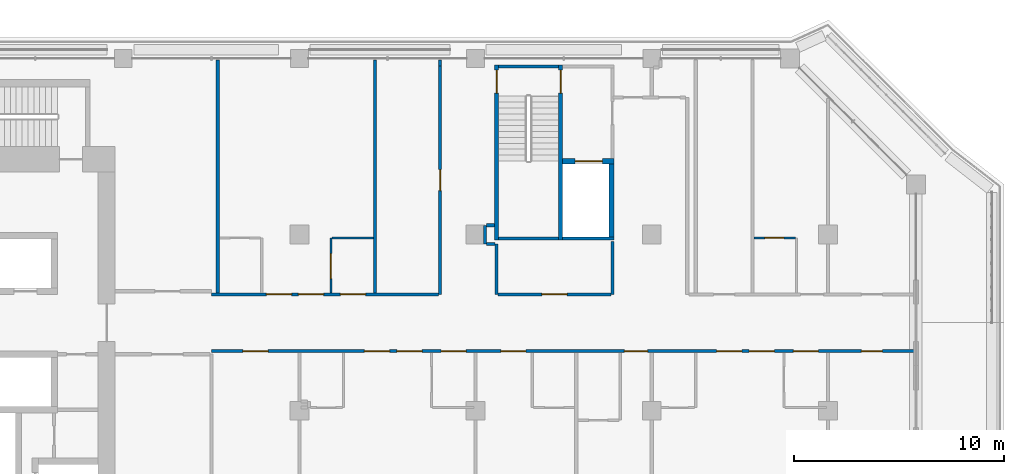
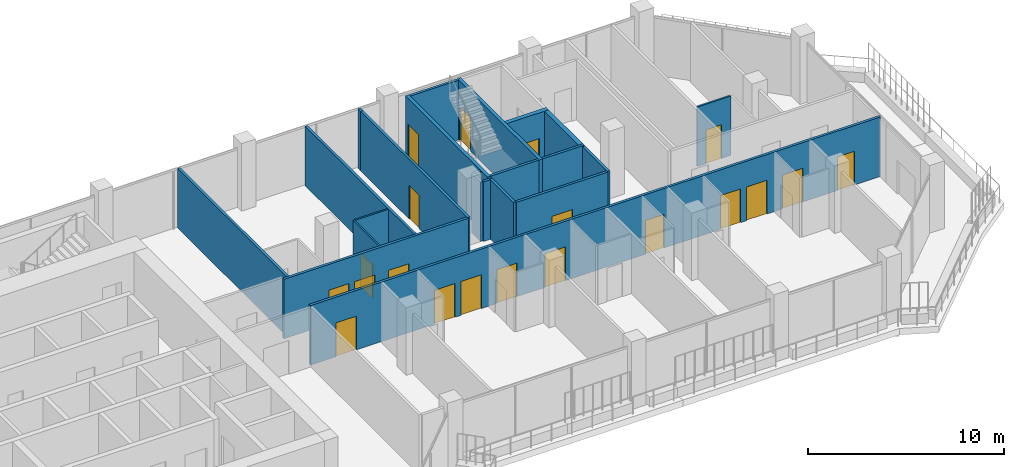
# One storey, part 13 of 23: 22 walls, 20 doors, 20 openings.
"""IFC4 building model written with IfcOpenShell, lengths in metres."""

from ifc_helpers import new_model, si_unit, direction, frame, frame_2d, origin, place, context, subcontext, project, spatial, rectangle, extrude, material, layer, layer_set, type_object, element, fill, save


model = new_model("IFC4")

# Units and contexts
model_context = context("Model", 3, precision=1e-05, world=origin(), true_north=direction((0.0, 1.0)))
body_context = subcontext(model_context, "Body", "Model", "MODEL_VIEW")
ifc_project = project(units=[si_unit("LENGTHUNIT", "METRE"), si_unit("AREAUNIT", "SQUARE_METRE"), si_unit("VOLUMEUNIT", "CUBIC_METRE"), si_unit("PLANEANGLEUNIT", "RADIAN"), si_unit("MASSUNIT", "GRAM", prefix="KILO")], contexts=[model_context])

# Site, building, storey
site_placement = place(None, origin())
site = spatial("IfcSite", under=ifc_project, at=site_placement, CompositionType="ELEMENT")
building_placement = place(site_placement, origin())
building = spatial("IfcBuilding", under=site, at=building_placement, Name="Kawkab Arch Medical Tower", CompositionType="ELEMENT")
storey_placement = place(building_placement, frame((0.0, 0.0, 268.39990234375)))
storey = spatial("IfcBuildingStorey", under=building, at=storey_placement, Name="L62", CompositionType="ELEMENT", Elevation=268.39990234375)

# Wall, opening, door
ifc_material_1 = material(Name="Concrete C60/75", Category="concrete")
ifc_layer_1 = layer(ifc_material_1, 0.25)
ifc_layer_set_1 = layer_set([ifc_layer_1], Name="Concrete C60/75")
wall_type_1 = type_object("IfcWallType", Name="Core shear wall 250 C60/75", PredefinedType="SHEAR", material=ifc_layer_set_1)
wall_1_placement = place(storey_placement, frame((46.14990234375, -4.89990234375, 0.0), z_axis=(0.0, 0.0, 1.0), x_axis=(1.0, 0.0, 0.0)))
wall_1 = element("IfcWall", 1, at=wall_1_placement, inside=storey, type_object=wall_type_1, Name="L62 core shear wall", PredefinedType="SHEAR", context=body_context, shape_type="SweptSolid", body=[
    extrude(rectangle(XDim=2.4501953125, YDim=0.25, at=frame_2d((1.22509765625, 0.0))), origin(), (0.0, 0.0, 1.0), 3.7001953125),
])
opening_1_placement = place(wall_1_placement, frame((0.60009765625, 0.0, 0.0)))
opening_1 = element("IfcOpeningElement", 2, at=opening_1_placement, cuts=wall_1, Name="Opening LD2", PredefinedType="OPENING", context=body_context, shape_type="SweptSolid", body=[
    extrude(rectangle(XDim=1.300048828125, YDim=2.10009765625, at=frame_2d((0.64990234375, 1.050048828125))), frame((0.0, 0.135009765625, 0.0), z_axis=(0.0, -1.0, 0.0), x_axis=(1.0, 0.0, 0.0)), (0.0, 0.0, 1.0), 0.27001953125),
])
ifc_material_2 = material(Name="Stainless steel lift door leaf", Category="steel")
door_type_1 = type_object("IfcDoorType", Name="Lift landing door 1300", OperationType="DOUBLE_DOOR_SLIDING", PredefinedType="DOOR", material=ifc_material_2)
door_1_placement = place(opening_1_placement, origin())
door_1 = element("IfcDoor", 3, at=door_1_placement, inside=storey, type_object=door_type_1, Name="L62 Lift landing door SV1", OperationType="DOUBLE_DOOR_SLIDING", OverallHeight=2.10009765625, OverallWidth=1.300048828125, PredefinedType="DOOR", context=body_context, shape_type="SweptSolid", body=[
    extrude(rectangle(XDim=1.300048828125, YDim=2.10009765625, at=frame_2d((0.64990234375, 1.050048828125))), frame((0.0, 0.02490234375, 0.0), z_axis=(0.0, -1.0, 0.0), x_axis=(1.0, 0.0, 0.0)), (0.0, 0.0, 1.0), 0.050048828125),
])
fill(opening_1, door_1)

# Walls
wall_2_placement = place(storey_placement, frame((48.47509765625, -8.5, 0.0), z_axis=(0.0, 0.0, 1.0), x_axis=(0.0, 1.0, 0.0)))
element("IfcWall", 4, at=wall_2_placement, inside=storey, type_object=wall_type_1, Name="L62 core shear wall", PredefinedType="SHEAR", context=body_context, shape_type="SweptSolid", body=[
    extrude(rectangle(XDim=3.47509765625, YDim=0.25, at=frame_2d((1.737548828125, 0.0))), origin(), (0.0, 0.0, 1.0), 3.7001953125),
])
ifc_material_3 = material(Name="Gypsum board partition on steel studs", Category="steel")
ifc_layer_2 = layer(ifc_material_3, 0.10009765625)
ifc_layer_set_2 = layer_set([ifc_layer_2], Name="Gypsum board partition on steel studs")
wall_type_2 = type_object("IfcWallType", Name="Partition 100", PredefinedType="PARTITIONING", material=ifc_layer_set_2)
wall_3_placement = place(storey_placement, frame((35.14990234375, -8.550048828125, 0.0), z_axis=(0.0, 0.0, 1.0), x_axis=(1.0, 0.0, 0.0)))
element("IfcWall", 5, at=wall_3_placement, inside=storey, type_object=wall_type_2, Name="Partition 100 w008", PredefinedType="PARTITIONING", context=body_context, shape_type="SweptSolid", body=[
    extrude(rectangle(XDim=1.97509765625, YDim=0.10009765625, at=frame_2d((0.987548828125, 0.0))), origin(), (0.0, 0.0, 1.0), 3.7001953125),
])

# Wall, opening, door
wall_4_placement = place(storey_placement, frame((55.27490234375, -8.550048828125, 0.0), z_axis=(0.0, 0.0, 1.0), x_axis=(1.0, 0.0, 0.0)))
wall_4 = element("IfcWall", 6, at=wall_4_placement, inside=storey, type_object=wall_type_2, Name="Partition 100 w009", PredefinedType="PARTITIONING", context=body_context, shape_type="SweptSolid", body=[
    extrude(rectangle(XDim=1.97509765625, YDim=0.10009765625, at=frame_2d((0.987548828125, 0.0))), origin(), (0.0, 0.0, 1.0), 3.7001953125),
])
opening_2_placement = place(wall_4_placement, frame((0.52490234375, 0.0, 0.0)))
opening_2 = element("IfcOpeningElement", 7, at=opening_2_placement, cuts=wall_4, Name="Opening W57-003", PredefinedType="OPENING", context=body_context, shape_type="SweptSolid", body=[
    extrude(rectangle(XDim=0.89990234375, YDim=2.10009765625, at=frame_2d((0.449951171875, 1.050048828125))), frame((0.0, 0.06005859375, 0.0), z_axis=(0.0, -1.0, 0.0), x_axis=(1.0, 0.0, 0.0)), (0.0, 0.0, 1.0), 0.1201171875),
])
ifc_material_4 = material(Name="Timber door leaf", Category="wood")
door_type_2 = type_object("IfcDoorType", Name="Single door 900x2100", OperationType="NOTDEFINED", PredefinedType="DOOR", material=ifc_material_4)
door_2_placement = place(opening_2_placement, origin())
door_2 = element("IfcDoor", 8, at=door_2_placement, inside=storey, type_object=door_type_2, Name="Door W57-003", OperationType="SINGLE_SWING_RIGHT", OverallHeight=2.10009765625, OverallWidth=0.89990234375, PredefinedType="DOOR", context=body_context, shape_type="SweptSolid", body=[
    extrude(rectangle(XDim=0.89990234375, YDim=2.10009765625, at=frame_2d((0.449951171875, 1.050048828125))), frame((0.0, 0.02490234375, 0.0), z_axis=(0.0, -1.0, 0.0), x_axis=(1.0, 0.0, 0.0)), (0.0, 0.0, 1.0), 0.050048828125),
])
fill(opening_2, door_2)

wall_5_placement = place(storey_placement, frame((35.10009765625, -11.175048828125, 0.0), z_axis=(0.0, 0.0, 1.0), x_axis=(0.0, 1.0, 0.0)))
wall_5 = element("IfcWall", 9, at=wall_5_placement, inside=storey, type_object=wall_type_2, Name="Partition 100 w011", PredefinedType="PARTITIONING", context=body_context, shape_type="SweptSolid", body=[
    extrude(rectangle(XDim=2.625, YDim=0.10009765625, at=frame_2d((1.3125, 0.0))), origin(), (0.0, 0.0, 1.0), 3.7001953125),
])
opening_3_placement = place(wall_5_placement, frame((0.675048828125, 0.0, 0.0)))
opening_3 = element("IfcOpeningElement", 10, at=opening_3_placement, cuts=wall_5, Name="Opening W57-025", PredefinedType="OPENING", context=body_context, shape_type="SweptSolid", body=[
    extrude(rectangle(XDim=1.199951171875, YDim=2.10009765625, at=frame_2d((0.60009765625, 1.050048828125))), frame((0.0, 0.06005859375, 0.0), z_axis=(0.0, -1.0, 0.0), x_axis=(1.0, 0.0, 0.0)), (0.0, 0.0, 1.0), 0.1201171875),
])
ifc_material_5 = material(Name="Timber door leaf", Category="wood")
door_type_3 = type_object("IfcDoorType", Name="Single door 1200x2100", OperationType="NOTDEFINED", PredefinedType="DOOR", material=ifc_material_5)
door_3_placement = place(opening_3_placement, origin())
door_3 = element("IfcDoor", 11, at=door_3_placement, inside=storey, type_object=door_type_3, Name="Door W57-025", OperationType="SINGLE_SWING_LEFT", OverallHeight=2.10009765625, OverallWidth=1.199951171875, PredefinedType="DOOR", context=body_context, shape_type="SweptSolid", body=[
    extrude(rectangle(XDim=1.199951171875, YDim=2.10009765625, at=frame_2d((0.60009765625, 1.050048828125))), frame((0.0, 0.02490234375, 0.0), z_axis=(0.0, -1.0, 0.0), x_axis=(1.0, 0.0, 0.0)), (0.0, 0.0, 1.0), 0.050048828125),
])
fill(opening_3, door_3)

# Wall, openings, doors
ifc_material_6 = material(Name="Gypsum board partition on steel studs, mineral wool", Category="steel")
ifc_layer_3 = layer(ifc_material_6, 0.14990234375)
ifc_layer_set_3 = layer_set([ifc_layer_3], Name="Gypsum board partition on steel studs, mineral wool")
wall_type_3 = type_object("IfcWallType", Name="Partition 150", PredefinedType="PARTITIONING", material=ifc_layer_set_3)
wall_6_placement = place(storey_placement, frame((29.39990234375, -13.949951171875, 0.0), z_axis=(0.0, 0.0, 1.0), x_axis=(1.0, 0.0, 0.0)))
wall_6 = element("IfcWall", 12, at=wall_6_placement, inside=storey, type_object=wall_type_3, Name="Partition 150 w033", PredefinedType="PARTITIONING", context=body_context, shape_type="SweptSolid", body=[
    extrude(rectangle(XDim=33.52001953125, YDim=0.14990234375, at=frame_2d((16.760009765625, 0.0))), origin(), (0.0, 0.0, 1.0), 3.7001953125),
])
opening_4_placement = place(wall_6_placement, frame((1.5, 0.0, 0.0)))
opening_4 = element("IfcOpeningElement", 13, at=opening_4_placement, cuts=wall_6, Name="Opening W57-027", PredefinedType="OPENING", context=body_context, shape_type="SweptSolid", body=[
    extrude(rectangle(XDim=1.199951171875, YDim=2.10009765625, at=frame_2d((0.60009765625, 1.050048828125))), frame((0.0, 0.0849609375, 0.0), z_axis=(0.0, -1.0, 0.0), x_axis=(1.0, 0.0, 0.0)), (0.0, 0.0, 1.0), 0.169921875),
])
opening_5_placement = place(wall_6_placement, frame((8.85009765625, 0.0, 0.0)))
opening_5 = element("IfcOpeningElement", 14, at=opening_5_placement, cuts=wall_6, Name="Opening W57-028", PredefinedType="OPENING", context=body_context, shape_type="SweptSolid", body=[
    extrude(rectangle(XDim=1.199951171875, YDim=2.10009765625, at=frame_2d((0.60009765625, 1.050048828125))), frame((0.0, 0.0849609375, 0.0), z_axis=(0.0, -1.0, 0.0), x_axis=(1.0, 0.0, 0.0)), (0.0, 0.0, 1.0), 0.169921875),
])
opening_6_placement = place(wall_6_placement, frame((7.300048828125, 0.0, 0.0)))
opening_6 = element("IfcOpeningElement", 15, at=opening_6_placement, cuts=wall_6, Name="Opening W57-029", PredefinedType="OPENING", context=body_context, shape_type="SweptSolid", body=[
    extrude(rectangle(XDim=1.199951171875, YDim=2.10009765625, at=frame_2d((0.60009765625, 1.050048828125))), frame((0.0, 0.0849609375, 0.0), z_axis=(0.0, -1.0, 0.0), x_axis=(1.0, 0.0, 0.0)), (0.0, 0.0, 1.0), 0.169921875),
])
opening_7_placement = place(wall_6_placement, frame((10.949951171875, 0.0, 0.0)))
opening_7 = element("IfcOpeningElement", 16, at=opening_7_placement, cuts=wall_6, Name="Opening W57-030", PredefinedType="OPENING", context=body_context, shape_type="SweptSolid", body=[
    extrude(rectangle(XDim=1.199951171875, YDim=2.10009765625, at=frame_2d((0.60009765625, 1.050048828125))), frame((0.0, 0.0849609375, 0.0), z_axis=(0.0, -1.0, 0.0), x_axis=(1.0, 0.0, 0.0)), (0.0, 0.0, 1.0), 0.169921875),
])
opening_8_placement = place(wall_6_placement, frame((13.800048828125, 0.0, 0.0)))
opening_8 = element("IfcOpeningElement", 17, at=opening_8_placement, cuts=wall_6, Name="Opening W57-032", PredefinedType="OPENING", context=body_context, shape_type="SweptSolid", body=[
    extrude(rectangle(XDim=1.199951171875, YDim=2.10009765625, at=frame_2d((0.60009765625, 1.050048828125))), frame((0.0, 0.0849609375, 0.0), z_axis=(0.0, -1.0, 0.0), x_axis=(1.0, 0.0, 0.0)), (0.0, 0.0, 1.0), 0.169921875),
])
opening_9_placement = place(wall_6_placement, frame((19.699951171875, 0.0, 0.0)))
opening_9 = element("IfcOpeningElement", 18, at=opening_9_placement, cuts=wall_6, Name="Opening W57-020", PredefinedType="OPENING", context=body_context, shape_type="SweptSolid", body=[
    extrude(rectangle(XDim=1.10009765625, YDim=2.10009765625, at=frame_2d((0.550048828125, 1.050048828125))), frame((0.0, 0.0849609375, 0.0), z_axis=(0.0, -1.0, 0.0), x_axis=(1.0, 0.0, 0.0)), (0.0, 0.0, 1.0), 0.169921875),
])
opening_10_placement = place(wall_6_placement, frame((25.64990234375, 0.0, 0.0)))
opening_10 = element("IfcOpeningElement", 19, at=opening_10_placement, cuts=wall_6, Name="Opening W57-033", PredefinedType="OPENING", context=body_context, shape_type="SweptSolid", body=[
    extrude(rectangle(XDim=1.199951171875, YDim=2.10009765625, at=frame_2d((0.60009765625, 1.050048828125))), frame((0.0, 0.0849609375, 0.0), z_axis=(0.0, -1.0, 0.0), x_axis=(1.0, 0.0, 0.0)), (0.0, 0.0, 1.0), 0.169921875),
])
opening_11_placement = place(wall_6_placement, frame((24.10009765625, 0.0, 0.0)))
opening_11 = element("IfcOpeningElement", 20, at=opening_11_placement, cuts=wall_6, Name="Opening W57-034", PredefinedType="OPENING", context=body_context, shape_type="SweptSolid", body=[
    extrude(rectangle(XDim=1.199951171875, YDim=2.10009765625, at=frame_2d((0.60009765625, 1.050048828125))), frame((0.0, 0.0849609375, 0.0), z_axis=(0.0, -1.0, 0.0), x_axis=(1.0, 0.0, 0.0)), (0.0, 0.0, 1.0), 0.169921875),
])
opening_12_placement = place(wall_6_placement, frame((27.75, 0.0, 0.0)))
opening_12 = element("IfcOpeningElement", 21, at=opening_12_placement, cuts=wall_6, Name="Opening W57-035", PredefinedType="OPENING", context=body_context, shape_type="SweptSolid", body=[
    extrude(rectangle(XDim=1.199951171875, YDim=2.10009765625, at=frame_2d((0.60009765625, 1.050048828125))), frame((0.0, 0.0849609375, 0.0), z_axis=(0.0, -1.0, 0.0), x_axis=(1.0, 0.0, 0.0)), (0.0, 0.0, 1.0), 0.169921875),
])
opening_13_placement = place(wall_6_placement, frame((31.0, 0.0, 0.0)))
opening_13 = element("IfcOpeningElement", 22, at=opening_13_placement, cuts=wall_6, Name="Opening W57-012", PredefinedType="OPENING", context=body_context, shape_type="SweptSolid", body=[
    extrude(rectangle(XDim=1.0, YDim=2.10009765625, at=frame_2d((0.5, 1.050048828125))), frame((0.0, 0.0849609375, 0.0), z_axis=(0.0, -1.0, 0.0), x_axis=(1.0, 0.0, 0.0)), (0.0, 0.0, 1.0), 0.169921875),
])
ifc_material_7 = material(Name="Hollow metal door leaf")
door_type_4 = type_object("IfcDoorType", Name="Single door 1000x2100 FD30S", OperationType="NOTDEFINED", PredefinedType="DOOR", material=ifc_material_7)
door_4_placement = place(opening_13_placement, origin())
door_4 = element("IfcDoor", 23, at=door_4_placement, inside=storey, type_object=door_type_4, Name="Door W57-012", OperationType="SINGLE_SWING_LEFT", OverallHeight=2.10009765625, OverallWidth=1.0, PredefinedType="DOOR", context=body_context, shape_type="SweptSolid", body=[
    extrude(rectangle(XDim=1.0, YDim=2.10009765625, at=frame_2d((0.5, 1.050048828125))), frame((0.0, 0.02490234375, 0.0), z_axis=(0.0, -1.0, 0.0), x_axis=(1.0, 0.0, 0.0)), (0.0, 0.0, 1.0), 0.050048828125),
])
fill(opening_13, door_4)
ifc_material_8 = material(Name="Hollow metal door leaf")
door_type_5 = type_object("IfcDoorType", Name="Single door 1100x2100 FD30S", OperationType="NOTDEFINED", PredefinedType="DOOR", material=ifc_material_8)
door_5_placement = place(opening_9_placement, origin())
door_5 = element("IfcDoor", 24, at=door_5_placement, inside=storey, type_object=door_type_5, Name="Door W57-020", OperationType="SINGLE_SWING_LEFT", OverallHeight=2.10009765625, OverallWidth=1.10009765625, PredefinedType="DOOR", context=body_context, shape_type="SweptSolid", body=[
    extrude(rectangle(XDim=1.10009765625, YDim=2.10009765625, at=frame_2d((0.550048828125, 1.050048828125))), frame((0.0, 0.02490234375, 0.0), z_axis=(0.0, -1.0, 0.0), x_axis=(1.0, 0.0, 0.0)), (0.0, 0.0, 1.0), 0.050048828125),
])
fill(opening_9, door_5)
ifc_material_9 = material(Name="Hollow metal door leaf")
door_type_6 = type_object("IfcDoorType", Name="Single door 1200x2100 FD30S", OperationType="NOTDEFINED", PredefinedType="DOOR", material=ifc_material_9)
door_6_placement = place(opening_4_placement, origin())
door_6 = element("IfcDoor", 25, at=door_6_placement, inside=storey, type_object=door_type_6, Name="Door W57-027", OperationType="SINGLE_SWING_RIGHT", OverallHeight=2.10009765625, OverallWidth=1.199951171875, PredefinedType="DOOR", context=body_context, shape_type="SweptSolid", body=[
    extrude(rectangle(XDim=1.199951171875, YDim=2.10009765625, at=frame_2d((0.60009765625, 1.050048828125))), frame((0.0, 0.02490234375, 0.0), z_axis=(0.0, -1.0, 0.0), x_axis=(1.0, 0.0, 0.0)), (0.0, 0.0, 1.0), 0.050048828125),
])
fill(opening_4, door_6)
door_7_placement = place(opening_5_placement, origin())
door_7 = element("IfcDoor", 26, at=door_7_placement, inside=storey, type_object=door_type_6, Name="Door W57-028", OperationType="SINGLE_SWING_RIGHT", OverallHeight=2.10009765625, OverallWidth=1.199951171875, PredefinedType="DOOR", context=body_context, shape_type="SweptSolid", body=[
    extrude(rectangle(XDim=1.199951171875, YDim=2.10009765625, at=frame_2d((0.60009765625, 1.050048828125))), frame((0.0, 0.02490234375, 0.0), z_axis=(0.0, -1.0, 0.0), x_axis=(1.0, 0.0, 0.0)), (0.0, 0.0, 1.0), 0.050048828125),
])
fill(opening_5, door_7)
door_8_placement = place(opening_6_placement, origin())
door_8 = element("IfcDoor", 27, at=door_8_placement, inside=storey, type_object=door_type_6, Name="Door W57-029", OperationType="SINGLE_SWING_RIGHT", OverallHeight=2.10009765625, OverallWidth=1.199951171875, PredefinedType="DOOR", context=body_context, shape_type="SweptSolid", body=[
    extrude(rectangle(XDim=1.199951171875, YDim=2.10009765625, at=frame_2d((0.60009765625, 1.050048828125))), frame((0.0, 0.02490234375, 0.0), z_axis=(0.0, -1.0, 0.0), x_axis=(1.0, 0.0, 0.0)), (0.0, 0.0, 1.0), 0.050048828125),
])
fill(opening_6, door_8)
door_9_placement = place(opening_7_placement, origin())
door_9 = element("IfcDoor", 28, at=door_9_placement, inside=storey, type_object=door_type_6, Name="Door W57-030", OperationType="SINGLE_SWING_RIGHT", OverallHeight=2.10009765625, OverallWidth=1.199951171875, PredefinedType="DOOR", context=body_context, shape_type="SweptSolid", body=[
    extrude(rectangle(XDim=1.199951171875, YDim=2.10009765625, at=frame_2d((0.60009765625, 1.050048828125))), frame((0.0, 0.02490234375, 0.0), z_axis=(0.0, -1.0, 0.0), x_axis=(1.0, 0.0, 0.0)), (0.0, 0.0, 1.0), 0.050048828125),
])
fill(opening_7, door_9)
door_10_placement = place(opening_8_placement, origin())
door_10 = element("IfcDoor", 29, at=door_10_placement, inside=storey, type_object=door_type_6, Name="Door W57-032", OperationType="SINGLE_SWING_RIGHT", OverallHeight=2.10009765625, OverallWidth=1.199951171875, PredefinedType="DOOR", context=body_context, shape_type="SweptSolid", body=[
    extrude(rectangle(XDim=1.199951171875, YDim=2.10009765625, at=frame_2d((0.60009765625, 1.050048828125))), frame((0.0, 0.02490234375, 0.0), z_axis=(0.0, -1.0, 0.0), x_axis=(1.0, 0.0, 0.0)), (0.0, 0.0, 1.0), 0.050048828125),
])
fill(opening_8, door_10)
door_11_placement = place(opening_10_placement, origin())
door_11 = element("IfcDoor", 30, at=door_11_placement, inside=storey, type_object=door_type_6, Name="Door W57-033", OperationType="SINGLE_SWING_LEFT", OverallHeight=2.10009765625, OverallWidth=1.199951171875, PredefinedType="DOOR", context=body_context, shape_type="SweptSolid", body=[
    extrude(rectangle(XDim=1.199951171875, YDim=2.10009765625, at=frame_2d((0.60009765625, 1.050048828125))), frame((0.0, 0.02490234375, 0.0), z_axis=(0.0, -1.0, 0.0), x_axis=(1.0, 0.0, 0.0)), (0.0, 0.0, 1.0), 0.050048828125),
])
fill(opening_10, door_11)
door_12_placement = place(opening_11_placement, origin())
door_12 = element("IfcDoor", 31, at=door_12_placement, inside=storey, type_object=door_type_6, Name="Door W57-034", OperationType="SINGLE_SWING_LEFT", OverallHeight=2.10009765625, OverallWidth=1.199951171875, PredefinedType="DOOR", context=body_context, shape_type="SweptSolid", body=[
    extrude(rectangle(XDim=1.199951171875, YDim=2.10009765625, at=frame_2d((0.60009765625, 1.050048828125))), frame((0.0, 0.02490234375, 0.0), z_axis=(0.0, -1.0, 0.0), x_axis=(1.0, 0.0, 0.0)), (0.0, 0.0, 1.0), 0.050048828125),
])
fill(opening_11, door_12)
door_13_placement = place(opening_12_placement, origin())
door_13 = element("IfcDoor", 32, at=door_13_placement, inside=storey, type_object=door_type_6, Name="Door W57-035", OperationType="SINGLE_SWING_LEFT", OverallHeight=2.10009765625, OverallWidth=1.199951171875, PredefinedType="DOOR", context=body_context, shape_type="SweptSolid", body=[
    extrude(rectangle(XDim=1.199951171875, YDim=2.10009765625, at=frame_2d((0.60009765625, 1.050048828125))), frame((0.0, 0.02490234375, 0.0), z_axis=(0.0, -1.0, 0.0), x_axis=(1.0, 0.0, 0.0)), (0.0, 0.0, 1.0), 0.050048828125),
])
fill(opening_12, door_13)

wall_7_placement = place(storey_placement, frame((29.39990234375, -11.25, 0.0), z_axis=(0.0, 0.0, 1.0), x_axis=(1.0, 0.0, 0.0)))
wall_7 = element("IfcWall", 33, at=wall_7_placement, inside=storey, type_object=wall_type_3, Name="Partition 150 w034", PredefinedType="PARTITIONING", context=body_context, shape_type="SweptSolid", body=[
    extrude(rectangle(XDim=10.83203125, YDim=0.14990234375, at=frame_2d((5.416015625, 0.0))), origin(), (0.0, 0.0, 1.0), 3.7001953125),
])
opening_14_placement = place(wall_7_placement, frame((2.625, 0.0, 0.0)))
opening_14 = element("IfcOpeningElement", 34, at=opening_14_placement, cuts=wall_7, Name="Opening W57-022", PredefinedType="OPENING", context=body_context, shape_type="SweptSolid", body=[
    extrude(rectangle(XDim=1.199951171875, YDim=2.10009765625, at=frame_2d((0.60009765625, 1.050048828125))), frame((0.0, 0.0849609375, 0.0), z_axis=(0.0, -1.0, 0.0), x_axis=(1.0, 0.0, 0.0)), (0.0, 0.0, 1.0), 0.169921875),
])
opening_15_placement = place(wall_7_placement, frame((4.14990234375, 0.0, 0.0)))
opening_15 = element("IfcOpeningElement", 35, at=opening_15_placement, cuts=wall_7, Name="Opening W57-023", PredefinedType="OPENING", context=body_context, shape_type="SweptSolid", body=[
    extrude(rectangle(XDim=1.199951171875, YDim=2.10009765625, at=frame_2d((0.60009765625, 1.050048828125))), frame((0.0, 0.0849609375, 0.0), z_axis=(0.0, -1.0, 0.0), x_axis=(1.0, 0.0, 0.0)), (0.0, 0.0, 1.0), 0.169921875),
])
opening_16_placement = place(wall_7_placement, frame((6.14990234375, 0.0, 0.0)))
opening_16 = element("IfcOpeningElement", 36, at=opening_16_placement, cuts=wall_7, Name="Opening W57-024", PredefinedType="OPENING", context=body_context, shape_type="SweptSolid", body=[
    extrude(rectangle(XDim=1.199951171875, YDim=2.10009765625, at=frame_2d((0.60009765625, 1.050048828125))), frame((0.0, 0.0849609375, 0.0), z_axis=(0.0, -1.0, 0.0), x_axis=(1.0, 0.0, 0.0)), (0.0, 0.0, 1.0), 0.169921875),
])
door_14_placement = place(opening_14_placement, origin())
door_14 = element("IfcDoor", 37, at=door_14_placement, inside=storey, type_object=door_type_6, Name="Door W57-022", OperationType="SINGLE_SWING_LEFT", OverallHeight=2.10009765625, OverallWidth=1.199951171875, PredefinedType="DOOR", context=body_context, shape_type="SweptSolid", body=[
    extrude(rectangle(XDim=1.199951171875, YDim=2.10009765625, at=frame_2d((0.60009765625, 1.050048828125))), frame((0.0, 0.02490234375, 0.0), z_axis=(0.0, -1.0, 0.0), x_axis=(1.0, 0.0, 0.0)), (0.0, 0.0, 1.0), 0.050048828125),
])
fill(opening_14, door_14)
door_15_placement = place(opening_15_placement, origin())
door_15 = element("IfcDoor", 38, at=door_15_placement, inside=storey, type_object=door_type_6, Name="Door W57-023", OperationType="SINGLE_SWING_LEFT", OverallHeight=2.10009765625, OverallWidth=1.199951171875, PredefinedType="DOOR", context=body_context, shape_type="SweptSolid", body=[
    extrude(rectangle(XDim=1.199951171875, YDim=2.10009765625, at=frame_2d((0.60009765625, 1.050048828125))), frame((0.0, 0.02490234375, 0.0), z_axis=(0.0, -1.0, 0.0), x_axis=(1.0, 0.0, 0.0)), (0.0, 0.0, 1.0), 0.050048828125),
])
fill(opening_15, door_15)
door_16_placement = place(opening_16_placement, origin())
door_16 = element("IfcDoor", 39, at=door_16_placement, inside=storey, type_object=door_type_6, Name="Door W57-024", OperationType="SINGLE_SWING_RIGHT", OverallHeight=2.10009765625, OverallWidth=1.199951171875, PredefinedType="DOOR", context=body_context, shape_type="SweptSolid", body=[
    extrude(rectangle(XDim=1.199951171875, YDim=2.10009765625, at=frame_2d((0.60009765625, 1.050048828125))), frame((0.0, 0.02490234375, 0.0), z_axis=(0.0, -1.0, 0.0), x_axis=(1.0, 0.0, 0.0)), (0.0, 0.0, 1.0), 0.050048828125),
])
fill(opening_16, door_16)

# Wall, opening, door
wall_8_placement = place(storey_placement, frame((43.074951171875, -11.25, 0.0), z_axis=(0.0, 0.0, 1.0), x_axis=(1.0, 0.0, 0.0)))
wall_8 = element("IfcWall", 40, at=wall_8_placement, inside=storey, type_object=wall_type_3, Name="Partition 150 w035", PredefinedType="PARTITIONING", context=body_context, shape_type="SweptSolid", body=[
    extrude(rectangle(XDim=5.375, YDim=0.14990234375, at=frame_2d((2.6875, 0.0))), origin(), (0.0, 0.0, 1.0), 3.7001953125),
])
opening_17_placement = place(wall_8_placement, frame((2.0869140625, 0.0, 0.0)))
opening_17 = element("IfcOpeningElement", 41, at=opening_17_placement, cuts=wall_8, Name="Opening W57-026", PredefinedType="OPENING", context=body_context, shape_type="SweptSolid", body=[
    extrude(rectangle(XDim=1.199951171875, YDim=2.10009765625, at=frame_2d((0.60009765625, 1.050048828125))), frame((0.0, 0.0849609375, 0.0), z_axis=(0.0, -1.0, 0.0), x_axis=(1.0, 0.0, 0.0)), (0.0, 0.0, 1.0), 0.169921875),
])
door_17_placement = place(opening_17_placement, origin())
door_17 = element("IfcDoor", 42, at=door_17_placement, inside=storey, type_object=door_type_6, Name="Door W57-026", OperationType="SINGLE_SWING_RIGHT", OverallHeight=2.10009765625, OverallWidth=1.199951171875, PredefinedType="DOOR", context=body_context, shape_type="SweptSolid", body=[
    extrude(rectangle(XDim=1.199951171875, YDim=2.10009765625, at=frame_2d((0.60009765625, 1.050048828125))), frame((0.0, 0.02490234375, 0.0), z_axis=(0.0, -1.0, 0.0), x_axis=(1.0, 0.0, 0.0)), (0.0, 0.0, 1.0), 0.050048828125),
])
fill(opening_17, door_17)

# Walls
wall_9_placement = place(storey_placement, frame((42.527099609375, -8.85009765625, 0.0), z_axis=(0.0, 0.0, 1.0), x_axis=(1.0, 0.0, 0.0)))
element("IfcWall", 43, at=wall_9_placement, inside=storey, type_object=wall_type_3, Name="Partition 150 w038", PredefinedType="PARTITIONING", context=body_context, shape_type="SweptSolid", body=[
    extrude(rectangle(XDim=0.39599609375, YDim=0.14990234375, at=frame_2d((0.197998046875, 0.0))), origin(), (0.0, 0.0, 1.0), 3.7001953125),
])
wall_10_placement = place(storey_placement, frame((42.527099609375, -7.949951171875, 0.0), z_axis=(0.0, 0.0, 1.0), x_axis=(1.0, 0.0, 0.0)))
element("IfcWall", 44, at=wall_10_placement, inside=storey, type_object=wall_type_3, Name="Partition 150 w039", PredefinedType="PARTITIONING", context=body_context, shape_type="SweptSolid", body=[
    extrude(rectangle(XDim=0.372802734375, YDim=0.14990234375, at=frame_2d((0.1865234375, 0.0))), origin(), (0.0, 0.0, 1.0), 3.7001953125),
])
for number, where, z_axis, x_axis, name in (
    (45, (29.699951171875, -11.175048828125, 0.0), (0.0, 0.0, 1.0), (0.0, 1.0, 0.0), "Partition 150 w054"),
    (46, (37.199951171875, -11.175048828125, 0.0), (0.0, 0.0, 1.0), (0.0, 1.0, 0.0), "Partition 150 w058"),
):
    element("IfcWall", number, at=place(storey_placement, frame(where, z_axis=z_axis, x_axis=x_axis)), inside=storey, type_object=wall_type_3, Name=name, PredefinedType="PARTITIONING", context=body_context, shape_type="SweptSolid", body=[
        extrude(rectangle(XDim=11.094970703125, YDim=0.14990234375, at=frame_2d((5.54736328125, 0.0))), origin(), (0.0, 0.0, 1.0), 3.7001953125),
    ])

# Wall, opening, door
wall_11_placement = place(storey_placement, frame((40.306884765625, -11.25, 0.0), z_axis=(0.0, 0.0, 1.0), x_axis=(0.0, 1.0, 0.0)))
wall_11 = element("IfcWall", 47, at=wall_11_placement, inside=storey, type_object=wall_type_3, Name="Partition 150 w059", PredefinedType="PARTITIONING", context=body_context, shape_type="SweptSolid", body=[
    extrude(rectangle(XDim=10.89794921875, YDim=0.14990234375, at=frame_2d((5.448974609375, 0.0))), origin(), (0.0, 0.0, 1.0), 3.7001953125),
])
opening_18_placement = place(wall_11_placement, frame((4.948974609375, 0.0, 0.0)))
opening_18 = element("IfcOpeningElement", 48, at=opening_18_placement, cuts=wall_11, Name="Opening W57-010", PredefinedType="OPENING", context=body_context, shape_type="SweptSolid", body=[
    extrude(rectangle(XDim=1.0, YDim=2.10009765625, at=frame_2d((0.5, 1.050048828125))), frame((0.0, 0.0849609375, 0.0), z_axis=(0.0, -1.0, 0.0), x_axis=(1.0, 0.0, 0.0)), (0.0, 0.0, 1.0), 0.169921875),
])
door_18_placement = place(opening_18_placement, origin())
door_18 = element("IfcDoor", 49, at=door_18_placement, inside=storey, type_object=door_type_4, Name="Door W57-010", OperationType="SINGLE_SWING_LEFT", OverallHeight=2.10009765625, OverallWidth=1.0, PredefinedType="DOOR", context=body_context, shape_type="SweptSolid", body=[
    extrude(rectangle(XDim=1.0, YDim=2.10009765625, at=frame_2d((0.5, 1.050048828125))), frame((0.0, 0.02490234375, 0.0), z_axis=(0.0, -1.0, 0.0), x_axis=(1.0, 0.0, 0.0)), (0.0, 0.0, 1.0), 0.050048828125),
])
fill(opening_18, door_18)

# Walls
wall_12_placement = place(storey_placement, frame((40.306884765625, -0.35009765625, 0.0), z_axis=(0.0, 0.0, 1.0), x_axis=(0.0, 1.0, 0.0)))
element("IfcWall", 50, at=wall_12_placement, inside=storey, type_object=wall_type_3, Name="Partition 150 w060", PredefinedType="PARTITIONING", context=body_context, shape_type="SweptSolid", body=[
    extrude(rectangle(XDim=0.27001953125, YDim=0.14990234375, at=frame_2d((0.135009765625, 0.0))), origin(), (0.0, 0.0, 1.0), 3.7001953125),
])
wall_13_placement = place(storey_placement, frame((42.449951171875, -8.84912109375, 0.0), z_axis=(0.0, 0.0, 1.0), x_axis=(0.0, 1.0, 0.0)))
element("IfcWall", 51, at=wall_13_placement, inside=storey, type_object=wall_type_3, Name="Partition 150 w062", PredefinedType="PARTITIONING", context=body_context, shape_type="SweptSolid", body=[
    extrude(rectangle(XDim=0.897216796875, YDim=0.14990234375, at=frame_2d((0.44873046875, 0.0))), origin(), (0.0, 0.0, 1.0), 3.7001953125),
])
wall_14_placement = place(storey_placement, frame((43.0, -11.25, 0.0), z_axis=(0.0, 0.0, 1.0), x_axis=(0.0, 1.0, 0.0)))
element("IfcWall", 52, at=wall_14_placement, inside=storey, type_object=wall_type_3, Name="Partition 150 w063", PredefinedType="PARTITIONING", context=body_context, shape_type="SweptSolid", body=[
    extrude(rectangle(XDim=2.39794921875, YDim=0.14990234375, at=frame_2d((1.198974609375, 0.0))), origin(), (0.0, 0.0, 1.0), 3.7001953125),
])
wall_15_placement = place(storey_placement, frame((48.52490234375, -11.25, 0.0), z_axis=(0.0, 0.0, 1.0), x_axis=(0.0, 1.0, 0.0)))
element("IfcWall", 53, at=wall_15_placement, inside=storey, type_object=wall_type_3, Name="Partition 150 w065", PredefinedType="PARTITIONING", context=body_context, shape_type="SweptSolid", body=[
    extrude(rectangle(XDim=2.52001953125, YDim=0.14990234375, at=frame_2d((1.260009765625, 0.0))), origin(), (0.0, 0.0, 1.0), 3.7001953125),
])
ifc_material_10 = material(Name="Concrete C50/60", Category="concrete")
ifc_layer_4 = layer(ifc_material_10, 0.14990234375)
ifc_layer_set_4 = layer_set([ifc_layer_4], Name="Concrete C50/60")
wall_type_4 = type_object("IfcWallType", Name="Stair enclosure wall 150 C50/60", PredefinedType="SHEAR", material=ifc_layer_set_4)
for number, where, z_axis, x_axis, name in (
    (54, (43.10009765625, -0.375, 0.0), (0.0, 0.0, 1.0), (1.0, 0.0, 0.0), "L62 stair enclosure wall"),
    (55, (43.10009765625, -8.574951171875, 0.0), (0.0, 0.0, 1.0), (1.0, 0.0, 0.0), "L62 stair enclosure wall"),
):
    element("IfcWall", number, at=place(storey_placement, frame(where, z_axis=z_axis, x_axis=x_axis)), inside=storey, type_object=wall_type_4, Name=name, PredefinedType="SHEAR", context=body_context, shape_type="SweptSolid", body=[
        extrude(rectangle(XDim=2.849853515625, YDim=0.14990234375, at=frame_2d((1.4248046875, 0.0))), origin(), (0.0, 0.0, 1.0), 3.7001953125),
    ])
wall_16_placement = place(storey_placement, frame((46.14990234375, -8.574951171875, 0.0), z_axis=(0.0, 0.0, 1.0), x_axis=(1.0, 0.0, 0.0)))
element("IfcWall", 56, at=wall_16_placement, inside=storey, type_object=wall_type_4, Name="L62 stair enclosure wall", PredefinedType="SHEAR", context=body_context, shape_type="SweptSolid", body=[
    extrude(rectangle(XDim=2.4501953125, YDim=0.14990234375, at=frame_2d((1.22509765625, 0.0))), origin(), (0.0, 0.0, 1.0), 3.7001953125),
])

# Wall, opening, door
ifc_material_11 = material(Name="Concrete C50/60", Category="concrete")
ifc_layer_5 = layer(ifc_material_11, 0.199951171875)
ifc_layer_set_5 = layer_set([ifc_layer_5], Name="Concrete C50/60")
wall_type_5 = type_object("IfcWallType", Name="Stair enclosure wall 200 C50/60", PredefinedType="SHEAR", material=ifc_layer_set_5)
wall_17_placement = place(storey_placement, frame((43.0, -8.64990234375, 0.0), z_axis=(0.0, 0.0, 1.0), x_axis=(0.0, 1.0, 0.0)))
wall_17 = element("IfcWall", 57, at=wall_17_placement, inside=storey, type_object=wall_type_5, Name="L62 stair enclosure wall", PredefinedType="SHEAR", context=body_context, shape_type="SweptSolid", body=[
    extrude(rectangle(XDim=8.349853515625, YDim=0.199951171875, at=frame_2d((4.1748046875, 0.0))), origin(), (0.0, 0.0, 1.0), 3.7001953125),
])
opening_19_placement = place(wall_17_placement, frame((7.0, 0.0, 0.0)))
opening_19 = element("IfcOpeningElement", 58, at=opening_19_placement, cuts=wall_17, Name="Opening SD", PredefinedType="OPENING", context=body_context, shape_type="SweptSolid", body=[
    extrude(rectangle(XDim=1.10009765625, YDim=2.10009765625, at=frame_2d((0.550048828125, 1.050048828125))), frame((0.0, 0.10986328125, 0.0), z_axis=(0.0, -1.0, 0.0), x_axis=(1.0, 0.0, 0.0)), (0.0, 0.0, 1.0), 0.219970703125),
])
ifc_material_12 = material(Name="Hollow metal fire door leaf")
door_type_7 = type_object("IfcDoorType", Name="Exit stair door 1100", OperationType="SINGLE_SWING_LEFT", PredefinedType="DOOR", material=ifc_material_12)
door_19_placement = place(opening_19_placement, frame((1.10009765625, 0.0, 0.0), z_axis=(0.0, 0.0, 1.0), x_axis=(-1.0, 0.0, 0.0)))
door_19 = element("IfcDoor", 59, at=door_19_placement, inside=storey, type_object=door_type_7, Name="L62 Exit stair ST5 door", OperationType="SINGLE_SWING_LEFT", OverallHeight=2.10009765625, OverallWidth=1.10009765625, PredefinedType="DOOR", context=body_context, shape_type="SweptSolid", body=[
    extrude(rectangle(XDim=1.10009765625, YDim=2.10009765625, at=frame_2d((0.550048828125, 1.050048828125))), frame((0.0, 0.02490234375, 0.0), z_axis=(0.0, -1.0, 0.0), x_axis=(1.0, 0.0, 0.0)), (0.0, 0.0, 1.0), 0.050048828125),
])
fill(opening_19, door_19)

wall_18_placement = place(storey_placement, frame((46.050048828125, -8.64990234375, 0.0), z_axis=(0.0, 0.0, 1.0), x_axis=(0.0, 1.0, 0.0)))
wall_18 = element("IfcWall", 60, at=wall_18_placement, inside=storey, type_object=wall_type_5, Name="L62 stair enclosure wall", PredefinedType="SHEAR", context=body_context, shape_type="SweptSolid", body=[
    extrude(rectangle(XDim=8.349853515625, YDim=0.199951171875, at=frame_2d((4.1748046875, 0.0))), origin(), (0.0, 0.0, 1.0), 3.7001953125),
])
opening_20_placement = place(wall_18_placement, frame((7.0, 0.0, 0.0)))
opening_20 = element("IfcOpeningElement", 61, at=opening_20_placement, cuts=wall_18, Name="Opening SD", PredefinedType="OPENING", context=body_context, shape_type="SweptSolid", body=[
    extrude(rectangle(XDim=1.10009765625, YDim=2.10009765625, at=frame_2d((0.550048828125, 1.050048828125))), frame((0.0, 0.10986328125, 0.0), z_axis=(0.0, -1.0, 0.0), x_axis=(1.0, 0.0, 0.0)), (0.0, 0.0, 1.0), 0.219970703125),
])
door_20_placement = place(opening_20_placement, origin())
door_20 = element("IfcDoor", 62, at=door_20_placement, inside=storey, type_object=door_type_7, Name="L62 Exit stair ST5 lobby door", OperationType="SINGLE_SWING_LEFT", OverallHeight=2.10009765625, OverallWidth=1.10009765625, PredefinedType="DOOR", context=body_context, shape_type="SweptSolid", body=[
    extrude(rectangle(XDim=1.10009765625, YDim=2.10009765625, at=frame_2d((0.550048828125, 1.050048828125))), frame((0.0, 0.02490234375, 0.0), z_axis=(0.0, -1.0, 0.0), x_axis=(1.0, 0.0, 0.0)), (0.0, 0.0, 1.0), 0.050048828125),
])
fill(opening_20, door_20)

save(model, "model.ifc")
